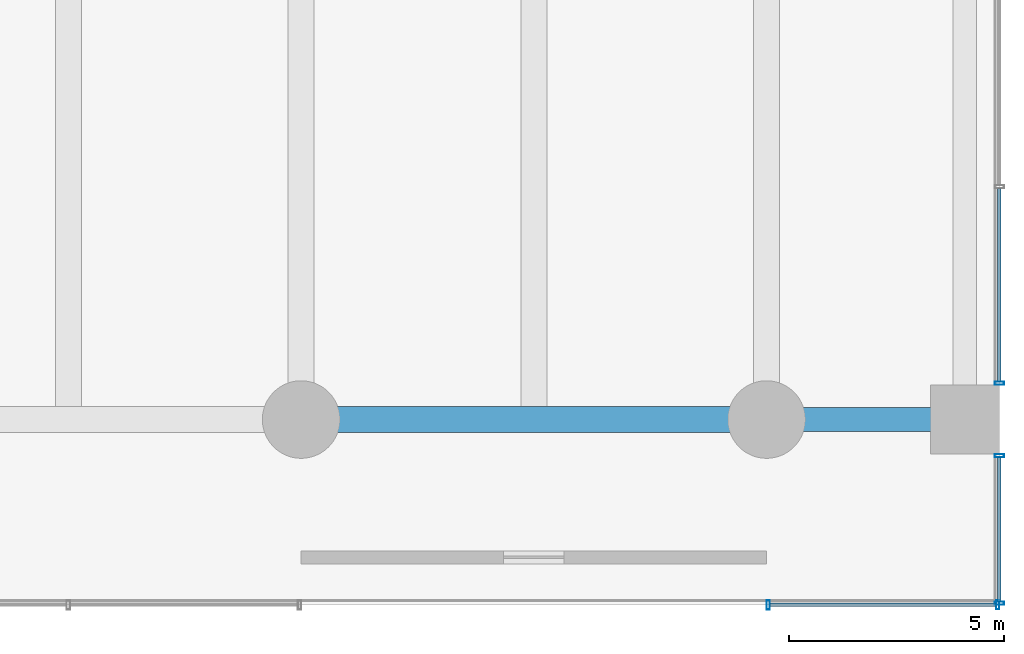
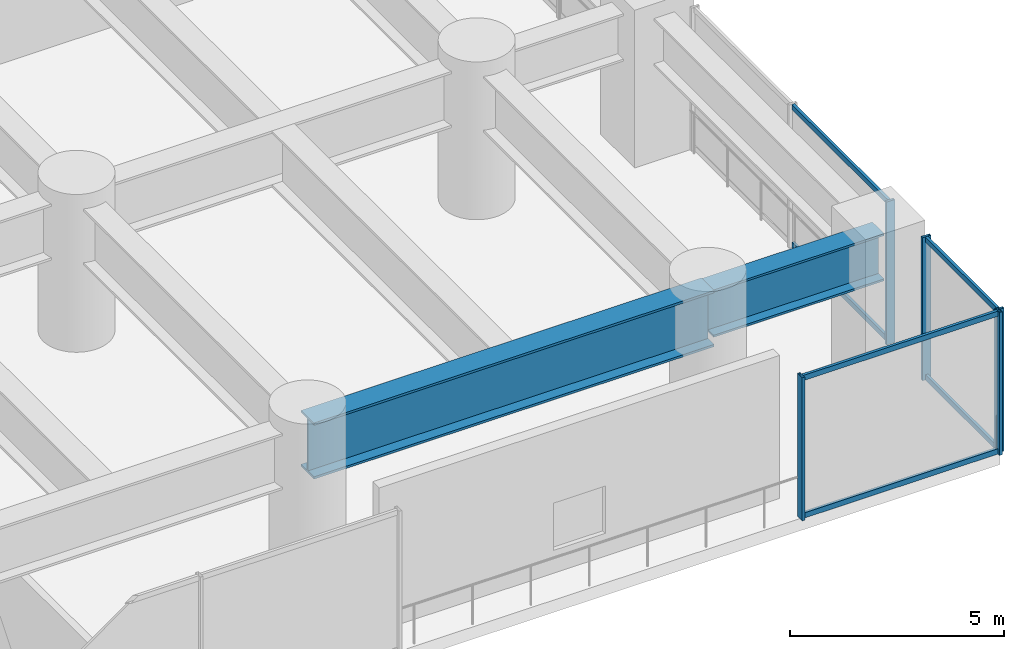
# One storey, part 18 of 37: 11 members, 2 beams, 3 elements without a shape of their own.
"""IFC4 building model written with IfcOpenShell, lengths in metres."""

from ifc_helpers import new_model, si_unit, direction, frame, origin, origin_2d, place, context, subcontext, project, spatial, hollow_rectangle, i_section, extrude, material, layer, layer_set, material_profile, profile_set, type_object, element, aggregate, save


model = new_model("IFC4")

# Units and contexts
model_context = context("Model", 3, precision=1e-05, world=origin(), true_north=direction((0.0, 1.0)))
body_context = subcontext(model_context, "Body", "Model", "MODEL_VIEW")
ifc_project = project(units=[si_unit("LENGTHUNIT", "METRE"), si_unit("AREAUNIT", "SQUARE_METRE"), si_unit("VOLUMEUNIT", "CUBIC_METRE"), si_unit("PLANEANGLEUNIT", "RADIAN"), si_unit("MASSUNIT", "GRAM", prefix="KILO")], contexts=[model_context])

# Site, building, storey
site_placement = place(None, origin())
site = spatial("IfcSite", under=ifc_project, at=site_placement, CompositionType="ELEMENT")
building_placement = place(site_placement, origin())
building = spatial("IfcBuilding", under=site, at=building_placement, Name="Surkhivell Harbour Commons", CompositionType="ELEMENT")
storey_placement = place(building_placement, frame((0.0, 0.0, 18.0)))
storey = spatial("IfcBuildingStorey", under=building, at=storey_placement, Name="L04", CompositionType="ELEMENT", Elevation=18.0)

# Beams
ifc_material_1 = material(Name="Steel S460", Category="steel")
ifc_material_profile_1 = material_profile(ifc_material_1, i_section(OverallWidth=0.550048828125, OverallDepth=1.35009765625, WebThickness=0.031982421875, FlangeThickness=0.06005859375, at=origin_2d()), Name="WPG1350x550x248")
ifc_profile_set_1 = profile_set([ifc_material_profile_1], Name="Steel S460")
beam_type_1 = type_object("IfcBeamType", Name="BM-TRF-1350", PredefinedType="BEAM", material=ifc_profile_set_1)
beam_1_placement = place(storey_placement, frame((32.39990234375, -21.60009765625, 3.405029296875), z_axis=(1.0, 0.0, 0.0), x_axis=(0.0, 1.0, 0.0)))
element("IfcBeam", 1, at=beam_1_placement, inside=storey, type_object=beam_type_1, Name="L04 Transfer Girder (32.4,-21.6)", PredefinedType="BEAM", context=body_context, shape_type="SweptSolid", body=[
    extrude(i_section(OverallWidth=0.550048828125, OverallDepth=1.35009765625, WebThickness=0.031982421875, FlangeThickness=0.06005859375, at=origin_2d()), origin(), (0.0, 0.0, 1.0), 4.60009765625),
])
ifc_material_profile_2 = material_profile(ifc_material_1, i_section(OverallWidth=0.60009765625, OverallDepth=1.60009765625, WebThickness=0.035888671875, FlangeThickness=0.06494140625, at=origin_2d()), Name="WPG1600x600x296")
ifc_profile_set_2 = profile_set([ifc_material_profile_2], Name="Steel S460")
beam_type_2 = type_object("IfcBeamType", Name="BM-TRF-1600", PredefinedType="BEAM", material=ifc_profile_set_2)
beam_2_placement = place(storey_placement, frame((21.60009765625, -21.60009765625, 3.280029296875), z_axis=(1.0, 0.0, 0.0), x_axis=(0.0, 1.0, 0.0)))
element("IfcBeam", 2, at=beam_2_placement, inside=storey, type_object=beam_type_2, Name="L04 Transfer Girder (21.6,-21.6)", PredefinedType="BEAM", context=body_context, shape_type="SweptSolid", body=[
    extrude(i_section(OverallWidth=0.60009765625, OverallDepth=1.60009765625, WebThickness=0.035888671875, FlangeThickness=0.06494140625, at=origin_2d()), origin(), (0.0, 0.0, 1.0), 10.7998046875),
])

# Curtain wall, members
ifc_material_2 = material(Name="Anodised pale-metal aluminium and insulated glazing", Category="aluminium")
ifc_layer = layer(ifc_material_2, 0.239990234375)
ifc_layer_set = layer_set([ifc_layer], Name="Anodised pale-metal aluminium and insulated glazing")
curtain_wall_type = type_object("IfcCurtainWallType", Name="CW-SYS-POD", PredefinedType="NOTDEFINED", material=ifc_layer_set)
curtain_wall_1_placement = place(storey_placement, origin())
curtain_wall_1 = element("IfcCurtainWall", 3, at=curtain_wall_1_placement, inside=storey, type_object=curtain_wall_type, Name="L04 Curtain Wall CW-L04-S8", PredefinedType="NOTDEFINED")
ifc_material_3 = material(Name="Anodised pale-metal aluminium alloy 6063-T6", Category="aluminium")
ifc_material_profile_3 = material_profile(ifc_material_3, hollow_rectangle(XDim=0.074951171875, YDim=0.219970703125, WallThickness=0.00390625, at=origin_2d()), Name="ALU-MULL-75x220")
ifc_profile_set_3 = profile_set([ifc_material_profile_3], Name="Anodised pale-metal aluminium alloy 6063-T6")
member_type_1 = type_object("IfcMemberType", Name="CWM-220", PredefinedType="MULLION", material=ifc_profile_set_3)
member_1_placement = place(storey_placement, frame((37.762451171875, -25.89990234375, 0.0), z_axis=(0.0, 0.0, 1.0), x_axis=(-1.0, 0.0, 0.0)))
member_1 = element("IfcMember", 4, at=member_1_placement, type_object=member_type_1, Name="CW-POD mullion 1", PredefinedType="MULLION", context=body_context, shape_type="SweptSolid", body=[
    extrude(hollow_rectangle(XDim=0.074951171875, YDim=0.219970703125, WallThickness=0.00390625, at=origin_2d()), origin(), (0.0, 0.0, 1.0), 4.080078125),
])
member_2_placement = place(storey_placement, frame((32.4375, -25.89990234375, 0.0), z_axis=(0.0, 0.0, 1.0), x_axis=(-1.0, 0.0, 0.0)))
member_2 = element("IfcMember", 5, at=member_2_placement, type_object=member_type_1, Name="CW-POD mullion 2", PredefinedType="MULLION", context=body_context, shape_type="SweptSolid", body=[
    extrude(hollow_rectangle(XDim=0.074951171875, YDim=0.219970703125, WallThickness=0.00390625, at=origin_2d()), origin(), (0.0, 0.0, 1.0), 4.080078125),
])

curtain_wall_2_placement = place(storey_placement, origin())
curtain_wall_2 = element("IfcCurtainWall", 6, at=curtain_wall_2_placement, inside=storey, type_object=curtain_wall_type, Name="L04 Curtain Wall CW-L04-E1", PredefinedType="NOTDEFINED")
member_3_placement = place(storey_placement, frame((37.800048828125, -22.439453125, 0.0), z_axis=(0.0, 0.0, 1.0), x_axis=(0.0, -1.0, 0.0)))
member_3 = element("IfcMember", 7, at=member_3_placement, type_object=member_type_1, Name="CW-POD mullion 1", PredefinedType="MULLION", context=body_context, shape_type="SweptSolid", body=[
    extrude(hollow_rectangle(XDim=0.074951171875, YDim=0.219970703125, WallThickness=0.00390625, at=origin_2d()), origin(), (0.0, 0.0, 1.0), 4.080078125),
])
member_4_placement = place(storey_placement, frame((37.800048828125, -25.862548828125, 0.0), z_axis=(0.0, 0.0, 1.0), x_axis=(0.0, -1.0, 0.0)))
member_4 = element("IfcMember", 8, at=member_4_placement, type_object=member_type_1, Name="CW-POD mullion 2", PredefinedType="MULLION", context=body_context, shape_type="SweptSolid", body=[
    extrude(hollow_rectangle(XDim=0.074951171875, YDim=0.219970703125, WallThickness=0.00390625, at=origin_2d()), origin(), (0.0, 0.0, 1.0), 4.080078125),
])

# Curtain wall, member
curtain_wall_3_placement = place(storey_placement, origin())
curtain_wall_3 = element("IfcCurtainWall", 9, at=curtain_wall_3_placement, inside=storey, type_object=curtain_wall_type, Name="L04 Curtain Wall CW-L04-E2", PredefinedType="NOTDEFINED")
member_5_placement = place(storey_placement, frame((37.800048828125, -20.760498046875, 0.0), z_axis=(0.0, 0.0, 1.0), x_axis=(0.0, -1.0, 0.0)))
member_5 = element("IfcMember", 10, at=member_5_placement, type_object=member_type_1, Name="CW-POD mullion 3", PredefinedType="MULLION", context=body_context, shape_type="SweptSolid", body=[
    extrude(hollow_rectangle(XDim=0.074951171875, YDim=0.219970703125, WallThickness=0.00390625, at=origin_2d()), origin(), (0.0, 0.0, 1.0), 4.080078125),
])

# Member
ifc_material_profile_4 = material_profile(ifc_material_3, hollow_rectangle(XDim=0.074951171875, YDim=0.14990234375, WallThickness=0.00341796875, at=origin_2d()), Name="ALU-TRAN-75x150")
ifc_profile_set_4 = profile_set([ifc_material_profile_4], Name="Anodised pale-metal aluminium alloy 6063-T6")
member_type_2 = type_object("IfcMemberType", Name="CWT-150", PredefinedType="USERDEFINED", material=ifc_profile_set_4)
member_6_placement = place(storey_placement, frame((37.72509765625, -25.89990234375, 0.074951171875), z_axis=(-1.0, 0.0, 0.0), x_axis=(0.0, -1.0, 0.0)))
member_6 = element("IfcMember", 11, at=member_6_placement, type_object=member_type_2, Name="CW-POD transom 1.1", ObjectType="TRANSOM", PredefinedType="USERDEFINED", context=body_context, shape_type="SweptSolid", body=[
    extrude(hollow_rectangle(XDim=0.074951171875, YDim=0.14990234375, WallThickness=0.00341796875, at=origin_2d()), origin(), (0.0, 0.0, 1.0), 5.25),
])

member_7_placement = place(storey_placement, frame((37.72509765625, -25.89990234375, 4.0048828125), z_axis=(-1.0, 0.0, 0.0), x_axis=(0.0, -1.0, 0.0)))
member_7 = element("IfcMember", 12, at=member_7_placement, type_object=member_type_2, Name="CW-POD transom 1.2", ObjectType="TRANSOM", PredefinedType="USERDEFINED", context=body_context, shape_type="SweptSolid", body=[
    extrude(hollow_rectangle(XDim=0.074951171875, YDim=0.14990234375, WallThickness=0.00341796875, at=origin_2d()), origin(), (0.0, 0.0, 1.0), 5.25),
])

aggregate(curtain_wall_1, [member_1, member_2, member_6, member_7])

member_8_placement = place(storey_placement, frame((37.800048828125, -22.47705078125, 0.074951171875), z_axis=(0.0, -1.0, 0.0), x_axis=(1.0, 0.0, 0.0)))
member_8 = element("IfcMember", 13, at=member_8_placement, type_object=member_type_2, Name="CW-POD transom 1.1", ObjectType="TRANSOM", PredefinedType="USERDEFINED", context=body_context, shape_type="SweptSolid", body=[
    extrude(hollow_rectangle(XDim=0.074951171875, YDim=0.14990234375, WallThickness=0.00341796875, at=origin_2d()), origin(), (0.0, 0.0, 1.0), 3.347900390625),
])

member_9_placement = place(storey_placement, frame((37.800048828125, -22.47705078125, 4.0048828125), z_axis=(0.0, -1.0, 0.0), x_axis=(1.0, 0.0, 0.0)))
member_9 = element("IfcMember", 14, at=member_9_placement, type_object=member_type_2, Name="CW-POD transom 1.2", ObjectType="TRANSOM", PredefinedType="USERDEFINED", context=body_context, shape_type="SweptSolid", body=[
    extrude(hollow_rectangle(XDim=0.074951171875, YDim=0.14990234375, WallThickness=0.00341796875, at=origin_2d()), origin(), (0.0, 0.0, 1.0), 3.347900390625),
])

aggregate(curtain_wall_2, [member_3, member_4, member_8, member_9])

member_10_placement = place(storey_placement, frame((37.800048828125, -16.237548828125, 0.074951171875), z_axis=(0.0, -1.0, 0.0), x_axis=(1.0, 0.0, 0.0)))
member_10 = element("IfcMember", 15, at=member_10_placement, type_object=member_type_2, Name="CW-POD transom 2.1", ObjectType="TRANSOM", PredefinedType="USERDEFINED", context=body_context, shape_type="SweptSolid", body=[
    extrude(hollow_rectangle(XDim=0.074951171875, YDim=0.14990234375, WallThickness=0.00341796875, at=origin_2d()), origin(), (0.0, 0.0, 1.0), 4.4853515625),
])

member_11_placement = place(storey_placement, frame((37.800048828125, -16.237548828125, 4.0048828125), z_axis=(0.0, -1.0, 0.0), x_axis=(1.0, 0.0, 0.0)))
member_11 = element("IfcMember", 16, at=member_11_placement, type_object=member_type_2, Name="CW-POD transom 2.2", ObjectType="TRANSOM", PredefinedType="USERDEFINED", context=body_context, shape_type="SweptSolid", body=[
    extrude(hollow_rectangle(XDim=0.074951171875, YDim=0.14990234375, WallThickness=0.00341796875, at=origin_2d()), origin(), (0.0, 0.0, 1.0), 4.4853515625),
])

aggregate(curtain_wall_3, [member_5, member_10, member_11])

save(model, "model.ifc")
